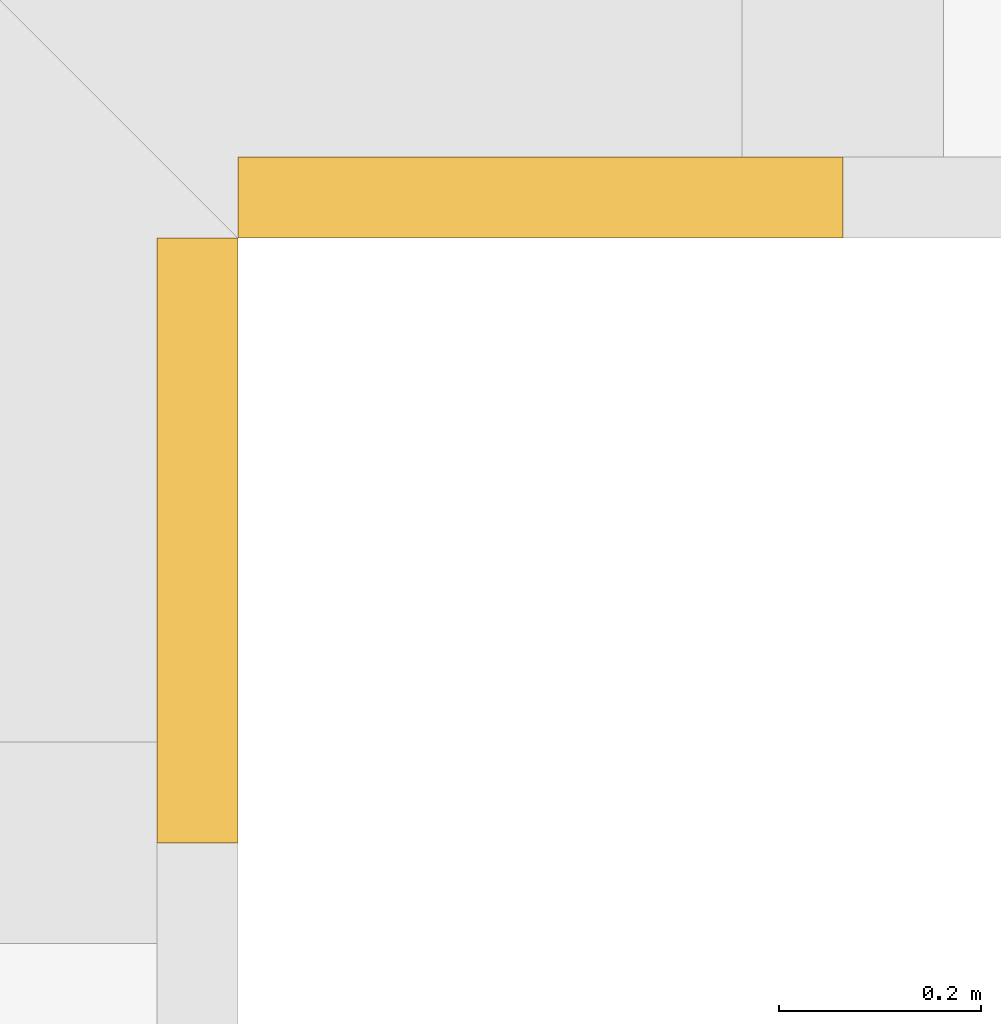
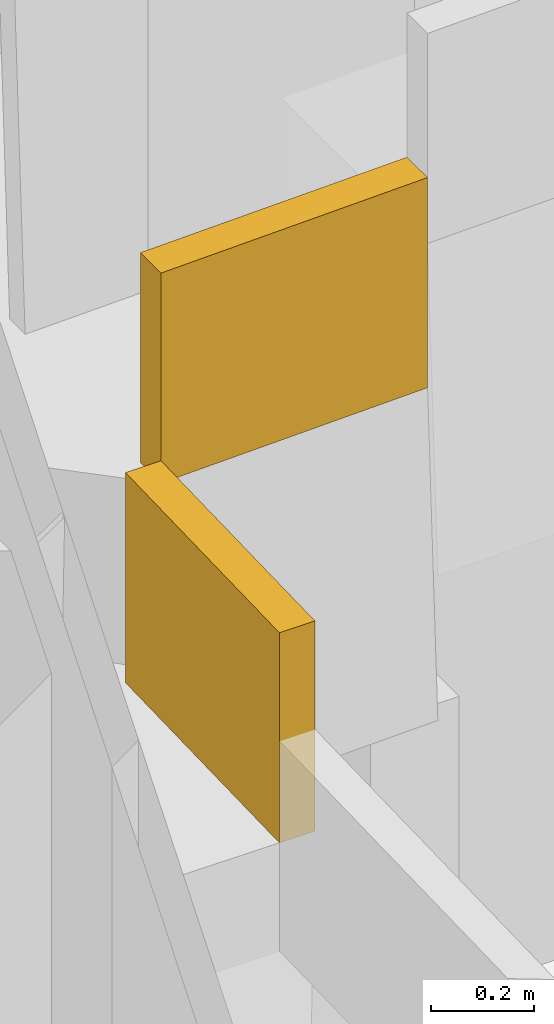
# One storey, part 30 of 30: 2 coverings.
"""IFC4 building model written with IfcOpenShell, lengths in metres."""

from ifc_helpers import new_model, si_unit, direction, frame, origin, place, context, subcontext, project, spatial, polyline, outline, extrude, material, layer, layer_set, type_object, element, save


model = new_model("IFC4")

# Units and contexts
model_context = context("Model", 3, precision=1e-05, world=origin(), true_north=direction((0.0, 1.0)))
body_context = subcontext(model_context, "Body", "Model", "MODEL_VIEW")
ifc_project = project(units=[si_unit("LENGTHUNIT", "METRE"), si_unit("AREAUNIT", "SQUARE_METRE"), si_unit("VOLUMEUNIT", "CUBIC_METRE"), si_unit("PLANEANGLEUNIT", "RADIAN"), si_unit("MASSUNIT", "GRAM", prefix="KILO")], contexts=[model_context])

# Site, building, storey
site_placement = place(None, origin())
site = spatial("IfcSite", under=ifc_project, at=site_placement, CompositionType="ELEMENT")
building_placement = place(site_placement, origin())
building = spatial("IfcBuilding", under=site, at=building_placement, Name="Saffron Gate Tower", CompositionType="ELEMENT")
storey_placement = place(building_placement, frame((0.0, 0.0, 158.25)))
storey = spatial("IfcBuildingStorey", under=building, at=storey_placement, Name="L38", CompositionType="ELEMENT", Elevation=158.25)

# Coverings
ifc_material = material(Name="Timber, thermally modified ash", Category="wood")
ifc_layer = layer(ifc_material, 0.080078125)
ifc_layer_set = layer_set([ifc_layer], Name="LD2 ledge planter trough")
covering_type = type_object("IfcCoveringType", Name="LD2 ledge planter trough", PredefinedType="CLADDING", material=ifc_layer_set)
for number, where, z_axis, x_axis, name in (
    (1, (124.800048828125, 31.800048828125, 2.56591796875), (1.0, 0.0, 0.0), (0.0, 0.999582742162, 0.028884971385), "LEDGE planter trough"),
    (2, (124.800048828125, 32.39990234375, 3.02978515625), (0.0, -1.0, 0.0), (0.999582742162, 0.0, 0.028884971385), "LEDGE planter trough"),
):
    element("IfcCovering", number, at=place(storey_placement, frame(where, z_axis=z_axis, x_axis=x_axis)), inside=storey, type_object=covering_type, Name=name, PredefinedType="CLADDING", context=body_context, shape_type="SweptSolid", body=[
        extrude(outline(polyline([(0.0, 0.0), (0.6001039136866089, 0.0), (0.614546399379222, 0.4997913710809928), (0.014442485692613144, 0.49979137108099286), (0.0, 0.0)])), origin(), (0.0, 0.0, -1.0), 0.080078125),
    ])

save(model, "model.ifc")
